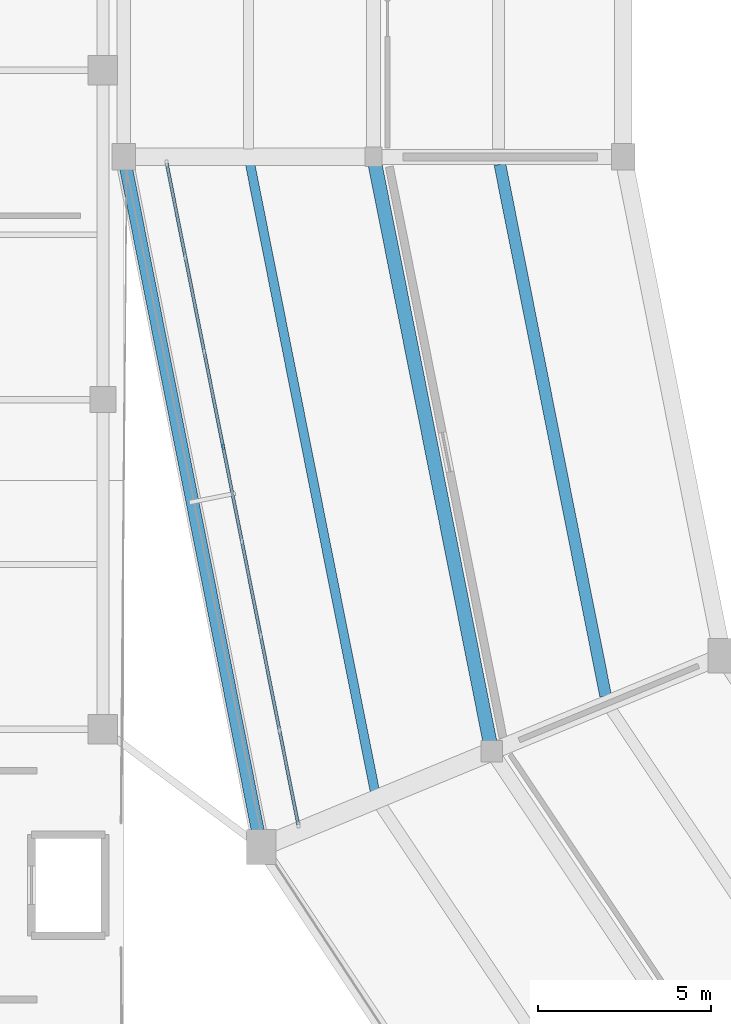
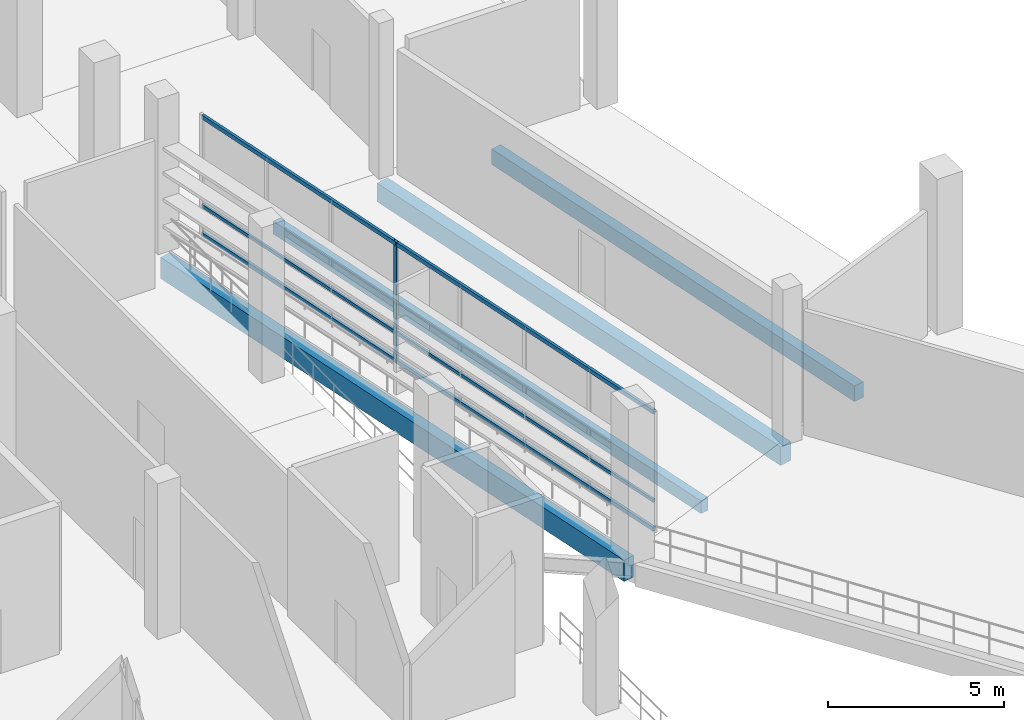
# One storey, part 19 of 114: 4 beams, 4 members, 1 element without a shape of its own.
"""IFC4 building model written with IfcOpenShell, lengths in metres."""

import ifcopenshell
import ifcopenshell.guid

model = None  # the IFC model being written
_history = None  # IfcOwnerHistory: only IFC2X3 demands one
_inside = {}  # id of a spatial element -> (the spatial element, [elements in it])
_under = {}  # id of a project, library or spatial element -> (it, [spatial elements below it])
_declared = {}  # id of a project -> (the project, [libraries it declares])
_typed = {}  # id of a type object -> (the type object, [elements of that type])
_made_of = {}  # id of a material, layer set ... -> (it, [elements and type objects made of it])


def new_model(schema):
    """Start an empty IFC model of exactly this schema.

    Asked for "IFC4X3", IfcOpenShell would pick the latest addendum, in which some entities
    have other attributes; the version numbers below select the first issue.
    IFC2X3 requires an IfcOwnerHistory on every rooted entity: one is made here for all.
    """
    global model, _history
    if schema == "IFC4X3":
        model = ifcopenshell.file(schema_version=(4, 3, 0, 0))
    else:
        model = ifcopenshell.file(schema=schema)
    _inside.clear()
    _under.clear()
    _declared.clear()
    _typed.clear()
    _made_of.clear()
    _history = None
    if model.schema == "IFC2X3":
        org = make("IfcOrganization", Name="unknown")
        user = make(
            "IfcPersonAndOrganization",
            ThePerson=make("IfcPerson", FamilyName="unknown"),
            TheOrganization=org,
        )
        app = make(
            "IfcApplication",
            ApplicationDeveloper=org,
            Version="unknown",
            ApplicationFullName="unknown",
            ApplicationIdentifier="unknown",
        )
        _history = make(
            "IfcOwnerHistory",
            OwningUser=user,
            OwningApplication=app,
            ChangeAction="ADDED",
            CreationDate=0,
        )
    return model


def make(cls, **values):
    """One entity of the class cls with the attributes given. An attribute that is None is left unset."""
    return model.create_entity(
        cls, **{name: value for name, value in values.items() if value is not None}
    )


def rooted(cls, **values):
    """An entity with a GlobalId (a new one), such as an element, a storey or a relation."""
    return make(cls, GlobalId=ifcopenshell.guid.new(), OwnerHistory=_history, **values)


def si_unit(unit_type, name, prefix=None):
    """IfcSIUnit, for example si_unit("LENGTHUNIT", "METRE", prefix="MILLI")."""
    return make("IfcSIUnit", UnitType=unit_type, Prefix=prefix, Name=name)


def assignment(units):
    """IfcUnitAssignment: the units of a project."""
    return None if units is None else make("IfcUnitAssignment", Units=units)


def point(xyz):
    """IfcCartesianPoint."""
    return None if xyz is None else make("IfcCartesianPoint", Coordinates=xyz)


def direction(xyz):
    """IfcDirection."""
    return None if xyz is None else make("IfcDirection", DirectionRatios=xyz)


def frame(location, z_axis=None, x_axis=None):
    """IfcAxis2Placement3D, a coordinate frame: its origin and axes. An axis left out is left unset."""
    return make(
        "IfcAxis2Placement3D",
        Location=point(location),
        Axis=direction(z_axis),
        RefDirection=direction(x_axis),
    )


def frame_2d(location, x_axis=None):
    """IfcAxis2Placement2D, a coordinate frame in the plane: its origin and x axis."""
    return make(
        "IfcAxis2Placement2D", Location=point(location), RefDirection=direction(x_axis)
    )


def origin():
    """The frame at (0, 0, 0) with its axes left unset."""
    return frame((0.0, 0.0, 0.0))


def origin_2d():
    """The frame at (0, 0) in the plane with its x axis left unset."""
    return frame_2d((0.0, 0.0))


def place(relative_to, where):
    """IfcLocalPlacement: puts the frame where relative to a parent placement (None: the world)."""
    return make(
        "IfcLocalPlacement", PlacementRelTo=relative_to, RelativePlacement=where
    )


def context(
    kind, dimensions, precision=None, world=None, true_north=None, identifier=None
):
    """IfcGeometricRepresentationContext, for example the 3D "Model" context."""
    return make(
        "IfcGeometricRepresentationContext",
        ContextIdentifier=identifier,
        ContextType=kind,
        CoordinateSpaceDimension=dimensions,
        Precision=precision,
        WorldCoordinateSystem=world,
        TrueNorth=true_north,
    )


def subcontext(parent, identifier, kind, view, scale=None):
    """IfcGeometricRepresentationSubContext, for example "Body" below "Model"."""
    return make(
        "IfcGeometricRepresentationSubContext",
        ContextIdentifier=identifier,
        ContextType=kind,
        ParentContext=parent,
        TargetScale=scale,
        TargetView=view,
    )


def project(units=None, contexts=None):
    """IfcProject with its units and contexts."""
    return rooted(
        "IfcProject",
        Name="project",
        RepresentationContexts=contexts,
        UnitsInContext=assignment(units),
    )


def spatial(cls, under=None, at=None, **own):
    """A site, building, storey or space (cls), placed at a placement, below another one or the project."""
    s = rooted(cls, ObjectPlacement=at, **own)
    if under is not None:
        _under.setdefault(under.id(), (under, []))[1].append(s)
    return s


def profile(cls, at=None, kind="AREA", **sizes):
    """A parametric profile (cls). Its sizes go by their IFC names, for example OverallWidth=200.0."""
    return make(cls, ProfileType=kind, Position=at, **sizes)


def rectangle(**sizes):
    """IfcRectangleProfileDef."""
    return profile("IfcRectangleProfileDef", **sizes)


def extrude(swept, where, along, depth):
    """IfcExtrudedAreaSolid: the profile swept, set in the frame where, extruded along a direction by depth."""
    return make(
        "IfcExtrudedAreaSolid",
        SweptArea=swept,
        Position=where,
        ExtrudedDirection=direction(along),
        Depth=depth,
    )


def shape(context_of_items, identifier, shape_type, items):
    """IfcShapeRepresentation: the items that make up one representation, for example the "Body"."""
    return make(
        "IfcShapeRepresentation",
        ContextOfItems=context_of_items,
        RepresentationIdentifier=identifier,
        RepresentationType=shape_type,
        Items=items,
    )


def material(Name=None, Category=None):
    """IfcMaterial."""
    return make("IfcMaterial", Name=Name, Category=Category)


def material_profile(
    of_material, cross_section, Name=None, Category=None, Priority=None
):
    """IfcMaterialProfile: a cross section and its material."""
    return make(
        "IfcMaterialProfile",
        Name=Name,
        Material=of_material,
        Profile=cross_section,
        Priority=Priority,
        Category=Category,
    )


def profile_set(profiles, Name=None, composite=None):
    """IfcMaterialProfileSet."""
    return make(
        "IfcMaterialProfileSet",
        Name=Name,
        MaterialProfiles=profiles,
        CompositeProfile=composite,
    )


def made_of(thing, what):
    """Note that an element or type object is made of a material, layer set ...; save() writes the relation."""
    if what is not None:
        _made_of.setdefault(what.id(), (what, []))[1].append(thing)
    return thing


def type_object(cls, material=None, **own):
    """A type object (cls), such as IfcWallType, which elements share."""
    return made_of(rooted(cls, **own), material)


def element(
    cls,
    number,
    at=None,
    inside=None,
    cuts=None,
    type_object=None,
    material=None,
    context=None,
    identifier="Body",
    shape_type=None,
    held_by="IfcProductDefinitionShape",
    body=None,
    shapes=None,
    **own,
):
    """One element of the class cls, such as IfcWall. Its Tag is "e" and its number.

    at: its placement. inside: the storey or other place that contains it. cuts: it is an
    opening in that element (IfcRelVoidsElement). A single representation is given by context,
    identifier, shape_type and body (its items); several are given by shapes. held_by: the class
    of the entity that holds the representations. save() writes the other relations.
    """
    e = rooted(cls, Tag="e%d" % number, ObjectPlacement=at, **own)
    if body is not None:
        shapes = [shape(context, identifier, shape_type, body)]
    if shapes is not None:
        e.Representation = make(held_by, Representations=shapes)
    if inside is not None:
        _inside.setdefault(inside.id(), (inside, []))[1].append(e)
    if cuts is not None:
        rooted(
            "IfcRelVoidsElement", RelatingBuildingElement=cuts, RelatedOpeningElement=e
        )
    if type_object is not None:
        _typed.setdefault(type_object.id(), (type_object, []))[1].append(e)
    return made_of(e, material)


def aggregate(whole, parts):
    """IfcRelAggregates: a whole, such as a stair, and the parts it consists of."""
    return rooted("IfcRelAggregates", RelatingObject=whole, RelatedObjects=parts)


def save(model, path):
    """Write the relations noted so far, then the file.

    IfcRelAggregates (storeys below a building ...), IfcRelContainedInSpatialStructure (elements
    in a storey), IfcRelDefinesByType, IfcRelAssociatesMaterial and IfcRelDeclares: one each for
    every whole, place, type object, material and project.
    """
    for whole, parts in _under.values():
        aggregate(whole, parts)
    for where, things in _inside.values():
        rooted(
            "IfcRelContainedInSpatialStructure",
            RelatedElements=things,
            RelatingStructure=where,
        )
    for kind, things in _typed.values():
        rooted("IfcRelDefinesByType", RelatedObjects=things, RelatingType=kind)
    for what, things in _made_of.values():
        rooted("IfcRelAssociatesMaterial", RelatedObjects=things, RelatingMaterial=what)
    for by, libraries in _declared.values():
        rooted("IfcRelDeclares", RelatingContext=by, RelatedDefinitions=libraries)
    model.write(path)


model = new_model("IFC4")

# Units and contexts
model_context = context("Model", 3, precision=1e-05, world=origin(), true_north=direction((0.0, 1.0)))
body_context = subcontext(model_context, "Body", "Model", "MODEL_VIEW")
ifc_project = project(units=[si_unit("LENGTHUNIT", "METRE"), si_unit("AREAUNIT", "SQUARE_METRE"), si_unit("VOLUMEUNIT", "CUBIC_METRE"), si_unit("PLANEANGLEUNIT", "RADIAN"), si_unit("MASSUNIT", "GRAM", prefix="KILO")], contexts=[model_context])

# Site, building, storey
site_placement = place(None, origin())
site = spatial("IfcSite", under=ifc_project, at=site_placement, CompositionType="ELEMENT")
building_placement = place(site_placement, origin())
building = spatial("IfcBuilding", under=site, at=building_placement, Name="Candeia Ridge Stadium", CompositionType="ELEMENT")
storey_placement = place(building_placement, frame((0.0, 0.0, 5.39990234375)))
storey = spatial("IfcBuildingStorey", under=building, at=storey_placement, Name="L01", CompositionType="ELEMENT", Elevation=5.39990234375)

# Curtain wall, members
ifc_material_1 = material(Name="Aluminium Anodized Warm Bronze", Category="aluminium")
curtain_wall_type = type_object("IfcCurtainWallType", Name="Concourse Recessed Unitised Curtain Wall", PredefinedType="NOTDEFINED", material=ifc_material_1)
curtain_wall_placement = place(storey_placement, origin())
curtain_wall = element("IfcCurtainWall", 1, at=curtain_wall_placement, inside=storey, type_object=curtain_wall_type, Name="Unitised curtain wall CW-BWL-L01-14", PredefinedType="NOTDEFINED")
ifc_material_profile_1 = material_profile(ifc_material_1, rectangle(XDim=0.074951171875, YDim=0.14990234375, at=origin_2d()), Name="CWM-75x150", Category="aluminium")
ifc_profile_set_1 = profile_set([ifc_material_profile_1], Name="Aluminium Anodized Warm Bronze")
member_type_1 = type_object("IfcMemberType", Name="Curtain Wall Secondary Mullion 75x150", PredefinedType="MULLION", material=ifc_profile_set_1)
member_1_placement = place(storey_placement, frame((21.8623046875, 62.643310546875, 0.0), z_axis=(0.0, 0.0, 1.0), x_axis=(1.0, 0.0, 0.0)))
member_1 = element("IfcMember", 2, at=member_1_placement, type_object=member_type_1, Name="Curtain wall mullion CW-BWL-L01-14-M3", PredefinedType="MULLION", context=body_context, shape_type="SweptSolid", body=[
    extrude(rectangle(XDim=0.074951171875, YDim=0.14990234375, at=origin_2d()), origin(), (0.0, 0.0, 1.0), 4.205078125),
])
ifc_material_profile_2 = material_profile(ifc_material_1, rectangle(XDim=0.074951171875, YDim=0.110107421875, at=origin_2d()), Name="CWT-75x110", Category="aluminium")
ifc_profile_set_2 = profile_set([ifc_material_profile_2], Name="Aluminium Anodized Warm Bronze")
member_type_2 = type_object("IfcMemberType", Name="Curtain Wall Secondary Transom 75x110", PredefinedType="USERDEFINED", material=ifc_profile_set_2)
member_2_placement = place(storey_placement, frame((20.235107421875, 70.823486328125, 1.05126953125), z_axis=(0.195085896803, -0.980786160623, 0.0), x_axis=(0.980786160623, 0.195085896803, 0.0)))
member_2 = element("IfcMember", 3, at=member_2_placement, type_object=member_type_2, Name="Curtain wall transom CW-BWL-L01-14-T1", ObjectType="TRANSOM", PredefinedType="USERDEFINED", context=body_context, shape_type="SweptSolid", body=[
    extrude(rectangle(XDim=0.074951171875, YDim=0.110107421875, at=origin_2d()), origin(), (0.0, 0.0, 1.0), 19.46142578125),
])
ifc_material_profile_3 = material_profile(ifc_material_1, rectangle(XDim=0.090087890625, YDim=0.139892578125, at=origin_2d()), Name="CWT-90x140", Category="aluminium")
ifc_profile_set_3 = profile_set([ifc_material_profile_3], Name="Aluminium Anodized Warm Bronze")
member_type_3 = type_object("IfcMemberType", Name="Curtain Wall Transom 90x140", PredefinedType="USERDEFINED", material=ifc_profile_set_3)
member_3_placement = place(storey_placement, frame((20.235107421875, 70.823486328125, 0.070068359375), z_axis=(0.195085896803, -0.980786160623, 0.0), x_axis=(0.980786160623, 0.195085896803, 0.0)))
member_3 = element("IfcMember", 4, at=member_3_placement, type_object=member_type_3, Name="Curtain wall transom CW-BWL-L01-14-T0", ObjectType="TRANSOM", PredefinedType="USERDEFINED", context=body_context, shape_type="SweptSolid", body=[
    extrude(rectangle(XDim=0.090087890625, YDim=0.139892578125, at=origin_2d()), origin(), (0.0, 0.0, 1.0), 19.46142578125),
])
member_4_placement = place(storey_placement, frame((20.235107421875, 70.823486328125, 4.135009765625), z_axis=(0.195085896803, -0.980786160623, 0.0), x_axis=(0.980786160623, 0.195085896803, 0.0)))
member_4 = element("IfcMember", 5, at=member_4_placement, type_object=member_type_3, Name="Curtain wall transom CW-BWL-L01-14-T2", ObjectType="TRANSOM", PredefinedType="USERDEFINED", context=body_context, shape_type="SweptSolid", body=[
    extrude(rectangle(XDim=0.090087890625, YDim=0.139892578125, at=origin_2d()), origin(), (0.0, 0.0, 1.0), 19.46142578125),
])
aggregate(curtain_wall, [member_1, member_3, member_2, member_4])

# Beams
ifc_material_2 = material(Name="Concrete C40/50", Category="concrete")
ifc_material_profile_4 = material_profile(ifc_material_2, rectangle(XDim=0.27001953125, YDim=0.43994140625, at=origin_2d()), Name="RC270x440", Category="concrete")
ifc_profile_set_4 = profile_set([ifc_material_profile_4], Name="Concrete C40/50")
beam_type_1 = type_object("IfcBeamType", Name="Floor Joist RC270x440", PredefinedType="JOIST", material=ifc_profile_set_4)
beam_1_placement = place(storey_placement, frame((22.643310546875, 70.7822265625, -0.47998046875), z_axis=(0.195092537954, -0.980784839623, 0.0), x_axis=(0.980784839623, 0.195092537954, 0.0)))
element("IfcBeam", 6, at=beam_1_placement, inside=storey, type_object=beam_type_1, Name="Concourse secondary joist BM-L01-0142", PredefinedType="JOIST", context=body_context, shape_type="SweptSolid", body=[
    extrude(rectangle(XDim=0.27001953125, YDim=0.43994140625, at=origin_2d()), origin(), (0.0, 0.0, 1.0), 18.440673828125),
])
ifc_material_profile_5 = material_profile(ifc_material_2, rectangle(XDim=0.340087890625, YDim=0.5400390625, at=origin_2d()), Name="RC340x540", Category="concrete")
ifc_profile_set_5 = profile_set([ifc_material_profile_5], Name="Concrete C40/50")
beam_type_2 = type_object("IfcBeamType", Name="Floor Joist RC340x540", PredefinedType="JOIST", material=ifc_profile_set_5)
beam_2_placement = place(storey_placement, frame((29.84326171875, 70.7822265625, -0.52978515625), z_axis=(0.195091809076, -0.980784984607, 0.0), x_axis=(0.980784984607, 0.195091809076, 0.0)))
element("IfcBeam", 7, at=beam_2_placement, inside=storey, type_object=beam_type_2, Name="Concourse secondary joist BM-L01-0141", PredefinedType="JOIST", context=body_context, shape_type="SweptSolid", body=[
    extrude(rectangle(XDim=0.340087890625, YDim=0.5400390625, at=origin_2d()), origin(), (0.0, 0.0, 1.0), 15.63134765625),
])
ifc_material_3 = material(Name="Concrete C45/55", Category="concrete")
ifc_material_profile_6 = material_profile(ifc_material_3, rectangle(XDim=0.3701171875, YDim=0.739990234375, at=origin_2d()), Name="RC370x740", Category="concrete")
ifc_profile_set_6 = profile_set([ifc_material_profile_6], Name="Concrete C45/55")
beam_type_3 = type_object("IfcBeamType", Name="Spandrel Beam RC370x740", PredefinedType="SPANDREL", material=ifc_profile_set_6)
beam_3_placement = place(storey_placement, frame((19.03125, 70.843017578125, -0.6298828125), z_axis=(0.195086242929, -0.980786091775, 0.0), x_axis=(0.980786091775, 0.195086242929, 0.0)))
element("IfcBeam", 8, at=beam_3_placement, inside=storey, type_object=beam_type_3, Name="Bowl perimeter spandrel BM-L01-0140", PredefinedType="SPANDREL", context=body_context, shape_type="SweptSolid", body=[
    extrude(rectangle(XDim=0.3701171875, YDim=0.739990234375, at=origin_2d()), origin(), (0.0, 0.0, 1.0), 19.969482421875),
])
ifc_material_profile_7 = material_profile(ifc_material_2, rectangle(XDim=0.39990234375, YDim=0.64990234375, at=origin_2d()), Name="RC400x650", Category="concrete")
ifc_profile_set_7 = profile_set([ifc_material_profile_7], Name="Concrete C40/50")
beam_type_4 = type_object("IfcBeamType", Name="Wing Primary Girder RC400x650", PredefinedType="BEAM", material=ifc_profile_set_7)
beam_4_placement = place(storey_placement, frame((26.209716796875, 70.950927734375, -0.5849609375), z_axis=(0.195086803319, -0.980785980309, 0.0), x_axis=(0.980785980309, 0.195086803319, 0.0)))
element("IfcBeam", 9, at=beam_4_placement, inside=storey, type_object=beam_type_4, Name="Concourse spine girder BM-L01-0139", PredefinedType="BEAM", context=body_context, shape_type="SweptSolid", body=[
    extrude(rectangle(XDim=0.39990234375, YDim=0.64990234375, at=origin_2d()), origin(), (0.0, 0.0, 1.0), 17.380126953125),
])

save(model, "model.ifc")
